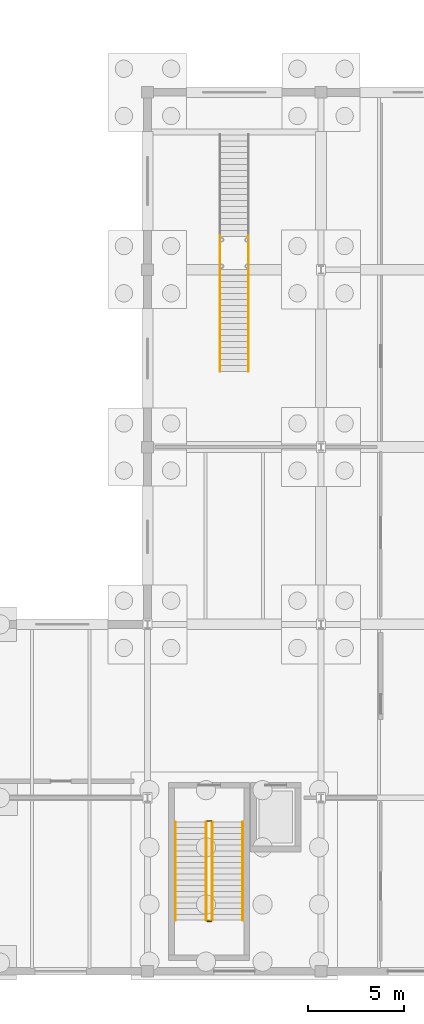
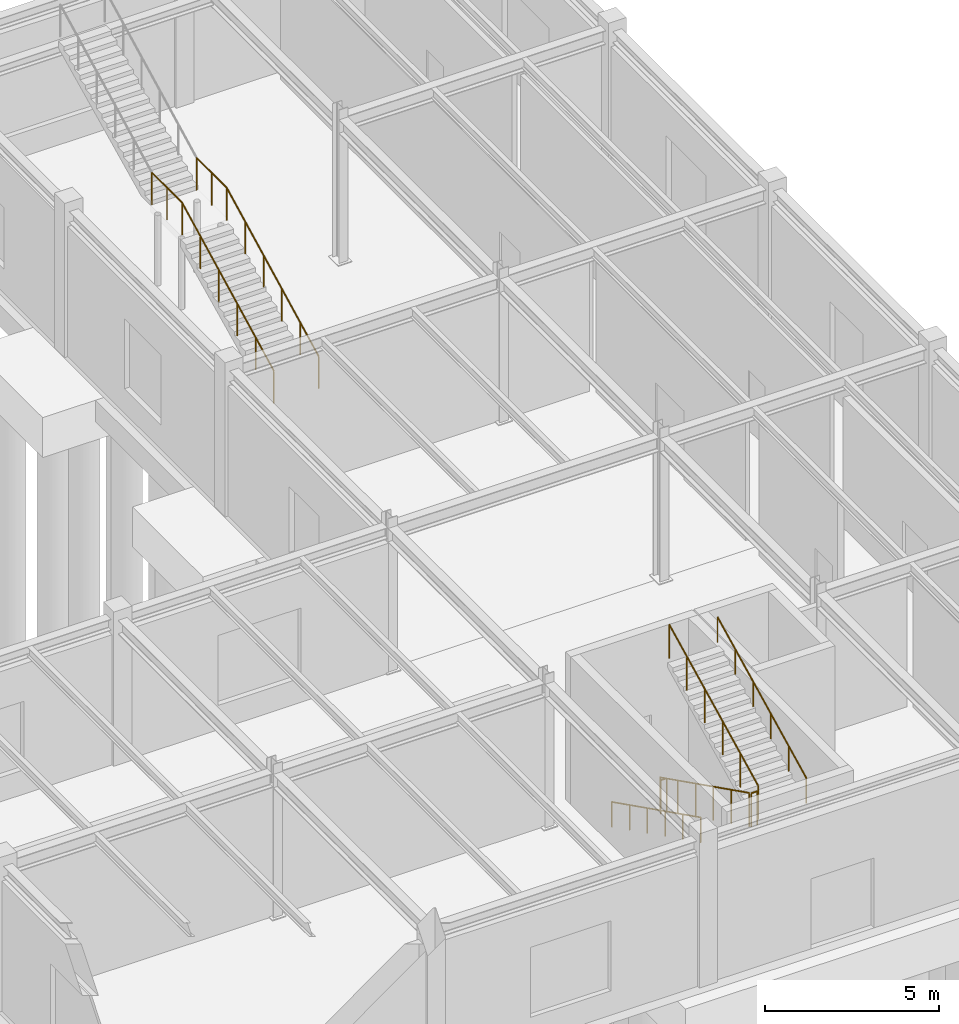
# One storey, part 73 of 76: 10 railings.
"""IFC4 building model written with IfcOpenShell, lengths in metres."""

from ifc_helpers import new_model, si_unit, direction, frame, origin, origin_2d, place, context, subcontext, project, spatial, circle, extrude, material, type_object, element, save


model = new_model("IFC4")

# Units and contexts
model_context = context("Model", 3, precision=1e-05, world=origin(), true_north=direction((0.0, 1.0)))
body_context = subcontext(model_context, "Body", "Model", "MODEL_VIEW")
ifc_project = project(units=[si_unit("LENGTHUNIT", "METRE"), si_unit("AREAUNIT", "SQUARE_METRE"), si_unit("VOLUMEUNIT", "CUBIC_METRE"), si_unit("PLANEANGLEUNIT", "RADIAN"), si_unit("MASSUNIT", "GRAM", prefix="KILO")], contexts=[model_context])

# Site, building, storey
site_placement = place(None, origin())
site = spatial("IfcSite", under=ifc_project, at=site_placement, CompositionType="ELEMENT")
building_placement = place(site_placement, origin())
building = spatial("IfcBuilding", under=site, at=building_placement, Name="Bozkorgan Art Gallery", CompositionType="ELEMENT")
storey_placement = place(building_placement, origin())
storey = spatial("IfcBuildingStorey", under=building, at=storey_placement, Name="L00", CompositionType="ELEMENT", Elevation=0.0)

# Railings
ifc_material = material(Name="Steel S355J2", Category="steel")
railing_type_1 = type_object("IfcRailingType", Name="RAIL-GRD-115", PredefinedType="GUARDRAIL", material=ifc_material)
railing_1_placement = place(storey_placement, frame((149.050048828125, 9.75, 0.14990234375)))
element("IfcRailing", 1, at=railing_1_placement, inside=storey, type_object=railing_type_1, Name="L00 ST4 stair guard 1", PredefinedType="GUARDRAIL", context=body_context, shape_type="SweptSolid", body=[
    extrude(circle(Radius=0.02392578125, at=origin_2d()), frame((0.0, 0.0, 1.17578125), z_axis=(0.0, -0.894427191, 0.4472135955), x_axis=(1.0, 0.0, 0.0)), (0.0, 0.0, 1.0), 5.7021484375),
    extrude(circle(Radius=0.02099609375, at=origin_2d()), origin(), (0.0, 0.0, 1.0), 1.15185546875),
    extrude(circle(Radius=0.02099609375, at=origin_2d()), frame((0.0, -1.02001953125, 0.510009765625)), (0.0, 0.0, 1.0), 1.15185546875),
    extrude(circle(Radius=0.02099609375, at=origin_2d()), frame((0.0, -2.0400390625, 1.02001953125)), (0.0, 0.0, 1.0), 1.15185546875),
    extrude(circle(Radius=0.02099609375, at=origin_2d()), frame((0.0, -3.06005859375, 1.530029296875)), (0.0, 0.0, 1.0), 1.15185546875),
    extrude(circle(Radius=0.02099609375, at=origin_2d()), frame((0.0, -4.080078125, 2.0400390625)), (0.0, 0.0, 1.0), 1.15185546875),
    extrude(circle(Radius=0.02099609375, at=origin_2d()), frame((0.0, -5.10009765625, 2.550048828125)), (0.0, 0.0, 1.0), 1.15185546875),
])
railing_2_placement = place(storey_placement, frame((149.10009765625, 4.60009765625, 2.699951171875)))
element("IfcRailing", 2, at=railing_2_placement, inside=storey, type_object=railing_type_1, Name="L00 ST4 stair guard 2", PredefinedType="GUARDRAIL", context=body_context, shape_type="SweptSolid", body=[
    extrude(circle(Radius=0.02392578125, at=origin_2d()), frame((0.0, 0.0, 1.17578125), z_axis=(1.0, 0.0, 0.0), x_axis=(0.0, 1.0, 0.0)), (0.0, 0.0, 1.0), 0.199951171875),
    extrude(circle(Radius=0.02099609375, at=origin_2d()), origin(), (0.0, 0.0, 1.0), 1.15185546875),
    extrude(circle(Radius=0.02099609375, at=origin_2d()), frame((0.199951171875, 0.0, 0.0)), (0.0, 0.0, 1.0), 1.15185546875),
])
railing_3_placement = place(storey_placement, frame((149.35009765625, 4.64990234375, 2.85009765625)))
element("IfcRailing", 3, at=railing_3_placement, inside=storey, type_object=railing_type_1, Name="L00 ST4 stair guard 3", PredefinedType="GUARDRAIL", context=body_context, shape_type="SweptSolid", body=[
    extrude(circle(Radius=0.02392578125, at=origin_2d()), frame((0.0, 0.0, 1.17578125), z_axis=(0.0, 0.89444431709, 0.44717934168), x_axis=(-1.0, 0.0, 0.0)), (0.0, 0.0, 1.0), 5.701904296875),
    extrude(circle(Radius=0.02099609375, at=origin_2d()), origin(), (0.0, 0.0, 1.0), 1.15185546875),
    extrude(circle(Radius=0.02099609375, at=origin_2d()), frame((0.0, 1.02001953125, 0.510009765625)), (0.0, 0.0, 1.0), 1.15185546875),
    extrude(circle(Radius=0.02099609375, at=origin_2d()), frame((0.0, 2.0400390625, 1.02001953125)), (0.0, 0.0, 1.0), 1.15185546875),
    extrude(circle(Radius=0.02099609375, at=origin_2d()), frame((0.0, 3.06005859375, 1.52978515625)), (0.0, 0.0, 1.0), 1.15185546875),
    extrude(circle(Radius=0.02099609375, at=origin_2d()), frame((0.0, 4.080078125, 2.039794921875)), (0.0, 0.0, 1.0), 1.15185546875),
    extrude(circle(Radius=0.02099609375, at=origin_2d()), frame((0.0, 5.10009765625, 2.5498046875)), (0.0, 0.0, 1.0), 1.15185546875),
])
railing_4_placement = place(storey_placement, frame((149.10009765625, 9.800048828125, 0.0)))
element("IfcRailing", 4, at=railing_4_placement, inside=storey, type_object=railing_type_1, Name="L00 ST4 stair guard 4", PredefinedType="GUARDRAIL", context=body_context, shape_type="SweptSolid", body=[
    extrude(circle(Radius=0.02392578125, at=origin_2d()), frame((0.0, 0.0, 1.17578125), z_axis=(1.0, 0.0, 0.0), x_axis=(0.0, 1.0, 0.0)), (0.0, 0.0, 1.0), 0.199951171875),
    extrude(circle(Radius=0.02099609375, at=origin_2d()), origin(), (0.0, 0.0, 1.0), 1.15185546875),
    extrude(circle(Radius=0.02099609375, at=origin_2d()), frame((0.199951171875, 0.0, 0.0)), (0.0, 0.0, 1.0), 1.15185546875),
])
railing_5_placement = place(storey_placement, frame((149.760009765625, 33.1298828125, 0.0)))
element("IfcRailing", 5, at=railing_5_placement, inside=storey, type_object=railing_type_1, Name="ST11 lower guard W", PredefinedType="GUARDRAIL", context=body_context, shape_type="SweptSolid", body=[
    extrude(circle(Radius=0.02392578125, at=origin_2d()), frame((0.0, 0.0, 1.1259765625), z_axis=(0.0, 0.889997253095, 0.455965886314), x_axis=(-1.0, 0.0, 0.0)), (0.0, 0.0, 1.0), 5.92138671875),
    extrude(circle(Radius=0.02099609375, at=origin_2d()), origin(), (0.0, 0.0, 1.0), 1.101806640625),
    extrude(circle(Radius=0.02099609375, at=origin_2d()), frame((0.0, 1.053955078125, 0.5400390625)), (0.0, 0.0, 1.0), 1.101806640625),
    extrude(circle(Radius=0.02099609375, at=origin_2d()), frame((0.0, 2.10791015625, 1.080078125)), (0.0, 0.0, 1.0), 1.101806640625),
    extrude(circle(Radius=0.02099609375, at=origin_2d()), frame((0.0, 3.162109375, 1.619873046875)), (0.0, 0.0, 1.0), 1.101806640625),
    extrude(circle(Radius=0.02099609375, at=origin_2d()), frame((0.0, 4.216064453125, 2.159912109375)), (0.0, 0.0, 1.0), 1.101806640625),
    extrude(circle(Radius=0.02099609375, at=origin_2d()), frame((0.0, 5.27001953125, 2.699951171875)), (0.0, 0.0, 1.0), 1.101806640625),
])
railing_6_placement = place(storey_placement, frame((149.760009765625, 38.39990234375, 2.699951171875)))
element("IfcRailing", 6, at=railing_6_placement, inside=storey, type_object=railing_type_1, Name="ST11 landing guard W", PredefinedType="GUARDRAIL", context=body_context, shape_type="SweptSolid", body=[
    extrude(circle(Radius=0.02392578125, at=origin_2d()), frame((0.0, 0.0, 1.1259765625), z_axis=(0.0, 1.0, 0.0), x_axis=(-1.0, 0.0, 0.0)), (0.0, 0.0, 1.0), 1.72998046875),
    extrude(circle(Radius=0.02099609375, at=origin_2d()), origin(), (0.0, 0.0, 1.0), 1.101806640625),
    extrude(circle(Radius=0.02099609375, at=origin_2d()), frame((0.0, 0.864990234375, 0.0)), (0.0, 0.0, 1.0), 1.101806640625),
    extrude(circle(Radius=0.02099609375, at=origin_2d()), frame((0.0, 1.72998046875, 0.0)), (0.0, 0.0, 1.0), 1.101806640625),
])
railing_7_placement = place(storey_placement, frame((151.239990234375, 33.1298828125, 0.0)))
element("IfcRailing", 7, at=railing_7_placement, inside=storey, type_object=railing_type_1, Name="ST11 lower guard E", PredefinedType="GUARDRAIL", context=body_context, shape_type="SweptSolid", body=[
    extrude(circle(Radius=0.02392578125, at=origin_2d()), frame((0.0, 0.0, 1.1259765625), z_axis=(0.0, 0.889997253095, 0.455965886314), x_axis=(-1.0, 0.0, 0.0)), (0.0, 0.0, 1.0), 5.92138671875),
    extrude(circle(Radius=0.02099609375, at=origin_2d()), origin(), (0.0, 0.0, 1.0), 1.101806640625),
    extrude(circle(Radius=0.02099609375, at=origin_2d()), frame((0.0, 1.053955078125, 0.5400390625)), (0.0, 0.0, 1.0), 1.101806640625),
    extrude(circle(Radius=0.02099609375, at=origin_2d()), frame((0.0, 2.10791015625, 1.080078125)), (0.0, 0.0, 1.0), 1.101806640625),
    extrude(circle(Radius=0.02099609375, at=origin_2d()), frame((0.0, 3.162109375, 1.619873046875)), (0.0, 0.0, 1.0), 1.101806640625),
    extrude(circle(Radius=0.02099609375, at=origin_2d()), frame((0.0, 4.216064453125, 2.159912109375)), (0.0, 0.0, 1.0), 1.101806640625),
    extrude(circle(Radius=0.02099609375, at=origin_2d()), frame((0.0, 5.27001953125, 2.699951171875)), (0.0, 0.0, 1.0), 1.101806640625),
])
railing_8_placement = place(storey_placement, frame((151.239990234375, 38.39990234375, 2.699951171875)))
element("IfcRailing", 8, at=railing_8_placement, inside=storey, type_object=railing_type_1, Name="ST11 landing guard E", PredefinedType="GUARDRAIL", context=body_context, shape_type="SweptSolid", body=[
    extrude(circle(Radius=0.02392578125, at=origin_2d()), frame((0.0, 0.0, 1.1259765625), z_axis=(0.0, 1.0, 0.0), x_axis=(-1.0, 0.0, 0.0)), (0.0, 0.0, 1.0), 1.72998046875),
    extrude(circle(Radius=0.02099609375, at=origin_2d()), origin(), (0.0, 0.0, 1.0), 1.101806640625),
    extrude(circle(Radius=0.02099609375, at=origin_2d()), frame((0.0, 0.864990234375, 0.0)), (0.0, 0.0, 1.0), 1.101806640625),
    extrude(circle(Radius=0.02099609375, at=origin_2d()), frame((0.0, 1.72998046875, 0.0)), (0.0, 0.0, 1.0), 1.101806640625),
])
railing_type_2 = type_object("IfcRailingType", Name="RAIL-HND-092", PredefinedType="HANDRAIL", material=ifc_material)
railing_9_placement = place(storey_placement, frame((147.449951171875, 9.75, 0.14990234375)))
element("IfcRailing", 9, at=railing_9_placement, inside=storey, type_object=railing_type_2, Name="L00 ST4 stair handrail 1", PredefinedType="HANDRAIL", context=body_context, shape_type="SweptSolid", body=[
    extrude(circle(Radius=0.02392578125, at=origin_2d()), frame((0.0, 0.0, 0.8759765625), z_axis=(0.0, -0.894427191, 0.4472135955), x_axis=(1.0, 0.0, 0.0)), (0.0, 0.0, 1.0), 5.7021484375),
    extrude(circle(Radius=0.02099609375, at=origin_2d()), origin(), (0.0, 0.0, 1.0), 0.851806640625),
    extrude(circle(Radius=0.02099609375, at=origin_2d()), frame((0.0, -1.02001953125, 0.510009765625)), (0.0, 0.0, 1.0), 0.851806640625),
    extrude(circle(Radius=0.02099609375, at=origin_2d()), frame((0.0, -2.0400390625, 1.02001953125)), (0.0, 0.0, 1.0), 0.851806640625),
    extrude(circle(Radius=0.02099609375, at=origin_2d()), frame((0.0, -3.06005859375, 1.530029296875)), (0.0, 0.0, 1.0), 0.851806640625),
    extrude(circle(Radius=0.02099609375, at=origin_2d()), frame((0.0, -4.080078125, 2.0400390625)), (0.0, 0.0, 1.0), 0.851806640625),
    extrude(circle(Radius=0.02099609375, at=origin_2d()), frame((0.0, -5.10009765625, 2.550048828125)), (0.0, 0.0, 1.0), 0.851806640625),
])
railing_10_placement = place(storey_placement, frame((150.949951171875, 4.64990234375, 2.85009765625)))
element("IfcRailing", 10, at=railing_10_placement, inside=storey, type_object=railing_type_2, Name="L00 ST4 stair handrail 2", PredefinedType="HANDRAIL", context=body_context, shape_type="SweptSolid", body=[
    extrude(circle(Radius=0.02392578125, at=origin_2d()), frame((0.0, 0.0, 0.8759765625), z_axis=(0.0, 0.89444431709, 0.44717934168), x_axis=(-1.0, 0.0, 0.0)), (0.0, 0.0, 1.0), 5.701904296875),
    extrude(circle(Radius=0.02099609375, at=origin_2d()), origin(), (0.0, 0.0, 1.0), 0.851806640625),
    extrude(circle(Radius=0.02099609375, at=origin_2d()), frame((0.0, 1.02001953125, 0.510009765625)), (0.0, 0.0, 1.0), 0.851806640625),
    extrude(circle(Radius=0.02099609375, at=origin_2d()), frame((0.0, 2.0400390625, 1.02001953125)), (0.0, 0.0, 1.0), 0.851806640625),
    extrude(circle(Radius=0.02099609375, at=origin_2d()), frame((0.0, 3.06005859375, 1.52978515625)), (0.0, 0.0, 1.0), 0.851806640625),
    extrude(circle(Radius=0.02099609375, at=origin_2d()), frame((0.0, 4.080078125, 2.039794921875)), (0.0, 0.0, 1.0), 0.851806640625),
    extrude(circle(Radius=0.02099609375, at=origin_2d()), frame((0.0, 5.10009765625, 2.5498046875)), (0.0, 0.0, 1.0), 0.851806640625),
])

save(model, "model.ifc")
